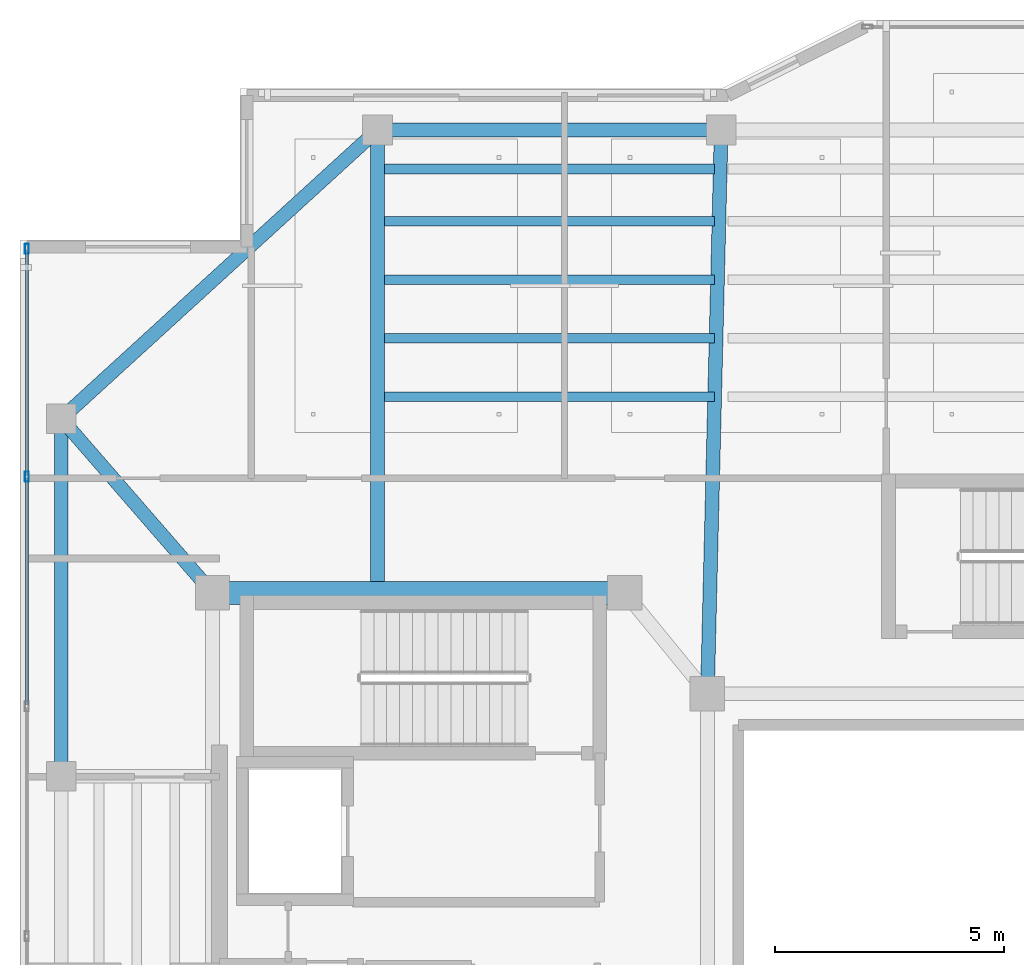
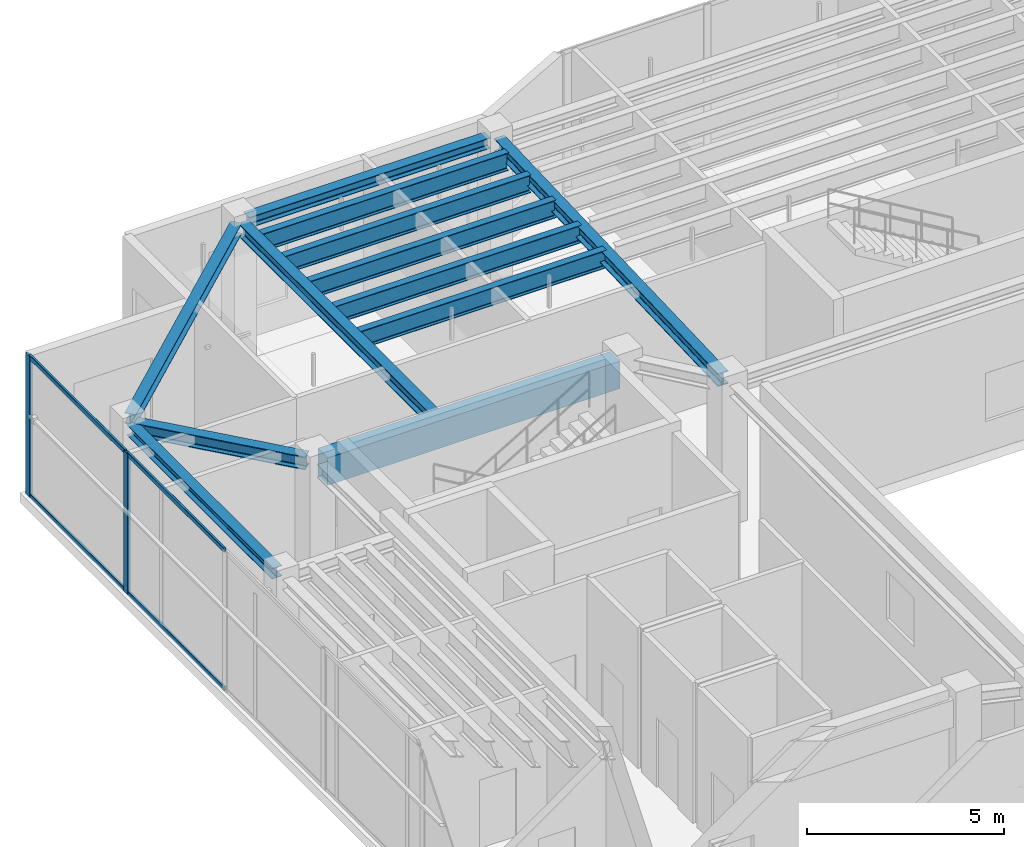
# One storey, part 10 of 25: 12 beams, 6 members, 1 element without a shape of its own.
"""IFC4 building model written with IfcOpenShell, lengths in metres."""

from ifc_helpers import new_model, si_unit, direction, frame, origin, origin_2d, place, context, subcontext, project, spatial, rectangle, hollow_rectangle, i_section, extrude, material, layer, layer_set, material_profile, profile_set, type_object, element, aggregate, save


model = new_model("IFC4")

# Units and contexts
model_context = context("Model", 3, precision=1e-05, world=origin(), true_north=direction((0.0, 1.0)))
body_context = subcontext(model_context, "Body", "Model", "MODEL_VIEW")
ifc_project = project(units=[si_unit("LENGTHUNIT", "METRE"), si_unit("AREAUNIT", "SQUARE_METRE"), si_unit("VOLUMEUNIT", "CUBIC_METRE"), si_unit("PLANEANGLEUNIT", "RADIAN"), si_unit("MASSUNIT", "GRAM", prefix="KILO")], contexts=[model_context])

# Site, building, storey
site_placement = place(None, origin())
site = spatial("IfcSite", under=ifc_project, at=site_placement, CompositionType="ELEMENT")
building_placement = place(site_placement, origin())
building = spatial("IfcBuilding", under=site, at=building_placement, Name="Tarnavaz Court Tower", CompositionType="ELEMENT")
storey_placement = place(building_placement, frame((0.0, 0.0, 271.64990234375)))
storey = spatial("IfcBuildingStorey", under=building, at=storey_placement, Name="L74", CompositionType="ELEMENT", Elevation=271.64990234375)

# Beams
ifc_material_1 = material(Name="Concrete C50/60", Category="concrete")
ifc_material_profile_1 = material_profile(ifc_material_1, rectangle(XDim=0.5, YDim=0.85009765625, at=origin_2d()), Name="RC 500X850")
ifc_profile_set_1 = profile_set([ifc_material_profile_1], Name="Concrete C50/60")
beam_type_1 = type_object("IfcBeamType", Name="BM-CB850", PredefinedType="LINTEL", material=ifc_profile_set_1)
beam_1_placement = place(storey_placement, frame((-18.3798828125, 10.0, 3.925048828125), z_axis=(1.0, 0.0, 0.0), x_axis=(0.0, 1.0, 0.0)))
element("IfcBeam", 1, at=beam_1_placement, inside=storey, type_object=beam_type_1, Name="L74 Beam IN-CW-NO-CW-NI", PredefinedType="LINTEL", context=body_context, shape_type="SweptSolid", body=[
    extrude(rectangle(XDim=0.5, YDim=0.85009765625, at=origin_2d()), origin(), (0.0, 0.0, 1.0), 8.559814453125),
])
ifc_material_2 = material(Name="Steel S355", Category="steel")
ifc_material_profile_2 = material_profile(ifc_material_2, i_section(OverallWidth=0.300048828125, OverallDepth=0.39990234375, WebThickness=0.013427734375, FlangeThickness=0.02392578125, FilletRadius=0.027099609375, at=origin_2d()), Name="HEB 400")
ifc_profile_set_2 = profile_set([ifc_material_profile_2], Name="Steel S355")
beam_type_2 = type_object("IfcBeamType", Name="BM-G-HEB400", PredefinedType="USERDEFINED", material=ifc_profile_set_2)
beam_2_placement = place(storey_placement, frame((-15.0, 10.0400390625, 4.150146484375), z_axis=(0.0, 1.0, 0.0), x_axis=(-1.0, 0.0, 0.0)))
element("IfcBeam", 2, at=beam_2_placement, inside=storey, type_object=beam_type_2, Name="L74 Beam RG-01", ObjectType="GIRDER", PredefinedType="USERDEFINED", context=body_context, shape_type="SweptSolid", body=[
    extrude(i_section(OverallWidth=0.300048828125, OverallDepth=0.39990234375, WebThickness=0.013427734375, FlangeThickness=0.02392578125, FilletRadius=0.027099609375, at=origin_2d()), origin(), (0.0, 0.0, 1.0), 9.83984375),
])
beam_3_placement = place(storey_placement, frame((-7.794677734375, 8.02001953125, 4.150146484375), z_axis=(0.024386002211, 0.99970261723, 0.0), x_axis=(-0.99970261723, 0.024386002211, 0.0)))
element("IfcBeam", 3, at=beam_3_placement, inside=storey, type_object=beam_type_2, Name="L74 Beam RG-02", ObjectType="GIRDER", PredefinedType="USERDEFINED", context=body_context, shape_type="SweptSolid", body=[
    extrude(i_section(OverallWidth=0.300048828125, OverallDepth=0.39990234375, WebThickness=0.013427734375, FlangeThickness=0.02392578125, FilletRadius=0.027099609375, at=origin_2d()), origin(), (0.0, 0.0, 1.0), 11.863525390625),
])
beam_4_placement = place(storey_placement, frame((-18.744384765625, 10.166015625, 4.150146484375), z_axis=(-0.65565475567, 0.755060819648, 0.0), x_axis=(-0.755060819648, -0.65565475567, 0.0)))
element("IfcBeam", 4, at=beam_4_placement, inside=storey, type_object=beam_type_2, Name="L74 Beam RG-16", ObjectType="GIRDER", PredefinedType="USERDEFINED", context=body_context, shape_type="SweptSolid", body=[
    extrude(i_section(OverallWidth=0.300048828125, OverallDepth=0.39990234375, WebThickness=0.013427734375, FlangeThickness=0.02392578125, FilletRadius=0.027099609375, at=origin_2d()), origin(), (0.0, 0.0, 1.0), 4.5927734375),
])
ifc_material_profile_3 = material_profile(ifc_material_2, i_section(OverallWidth=0.2099609375, OverallDepth=0.550048828125, WebThickness=0.010986328125, FlangeThickness=0.01708984375, FilletRadius=0.02392578125, at=origin_2d()), Name="IPE 550")
ifc_profile_set_3 = profile_set([ifc_material_profile_3], Name="Steel S355")
beam_type_3 = type_object("IfcBeamType", Name="BM-J-IPE550", PredefinedType="JOIST", material=ifc_profile_set_3)
for number, where, z_axis, x_axis, name in (
    (5, (-14.85009765625, 14.278076171875, 4.0751953125), (1.0, 0.0, 0.0), (0.0, 1.0, 0.0), "L74 Beam JN1-1"),
    (6, (-14.85009765625, 15.555908203125, 4.0751953125), (1.0, 0.0, 0.0), (0.0, 1.0, 0.0), "L74 Beam JN2-1"),
    (7, (-14.85009765625, 16.833984375, 4.0751953125), (1.0, 0.0, 0.0), (0.0, 1.0, 0.0), "L74 Beam JN3-1"),
    (8, (-14.85009765625, 18.112060546875, 4.0751953125), (1.0, 0.0, 0.0), (0.0, 1.0, 0.0), "L74 Beam JN4-1"),
    (9, (-14.85009765625, 19.248046875, 4.0751953125), (1.0, 0.0, 0.0), (0.0, 1.0, 0.0), "L74 Beam JN5-1"),
):
    element("IfcBeam", number, at=place(storey_placement, frame(where, z_axis=z_axis, x_axis=x_axis)), inside=storey, type_object=beam_type_3, Name=name, PredefinedType="JOIST", context=body_context, shape_type="SweptSolid", body=[
        extrude(i_section(OverallWidth=0.2099609375, OverallDepth=0.550048828125, WebThickness=0.010986328125, FlangeThickness=0.01708984375, FilletRadius=0.02392578125, at=origin_2d()), origin(), (0.0, 0.0, 1.0), 7.2001953125),
    ])
ifc_material_profile_4 = material_profile(ifc_material_2, i_section(OverallWidth=0.300048828125, OverallDepth=0.330078125, WebThickness=0.009521484375, FlangeThickness=0.0166015625, FilletRadius=0.027099609375, at=origin_2d()), Name="HEA 340")
ifc_profile_set_4 = profile_set([ifc_material_profile_4], Name="Steel S355")
beam_type_4 = type_object("IfcBeamType", Name="BM-SP-HEA340", PredefinedType="BEAM", material=ifc_profile_set_4)
beam_5_placement = place(storey_placement, frame((-14.780029296875, 20.10009765625, 4.18505859375), z_axis=(1.0, 0.0, 0.0), x_axis=(0.0, 1.0, 0.0)))
element("IfcBeam", 10, at=beam_5_placement, inside=storey, type_object=beam_type_4, Name="L74 Beam PR-PN-1-PN-2", PredefinedType="BEAM", context=body_context, shape_type="SweptSolid", body=[
    extrude(i_section(OverallWidth=0.300048828125, OverallDepth=0.330078125, WebThickness=0.009521484375, FlangeThickness=0.0166015625, FilletRadius=0.027099609375, at=origin_2d()), origin(), (0.0, 0.0, 1.0), 7.06005859375),
])
beam_6_placement = place(storey_placement, frame((-21.89990234375, 6.219970703125, 4.18505859375), z_axis=(0.0, 1.0, 0.0), x_axis=(-1.0, 0.0, 0.0)))
element("IfcBeam", 11, at=beam_6_placement, inside=storey, type_object=beam_type_4, Name="L74 Beam PR-PW-3-PW-4", PredefinedType="BEAM", context=body_context, shape_type="SweptSolid", body=[
    extrude(i_section(OverallWidth=0.300048828125, OverallDepth=0.330078125, WebThickness=0.009521484375, FlangeThickness=0.0166015625, FilletRadius=0.027099609375, at=origin_2d()), origin(), (0.0, 0.0, 1.0), 7.360107421875),
])
beam_7_placement = place(storey_placement, frame((-21.737548828125, 13.9482421875, 4.18505859375), z_axis=(0.738474214476, 0.674281717499, 0.0), x_axis=(-0.674281717499, 0.738474214476, 0.0)))
element("IfcBeam", 12, at=beam_7_placement, inside=storey, type_object=beam_type_4, Name="L74 Beam PR-PW-4-PN-1", PredefinedType="BEAM", context=body_context, shape_type="SweptSolid", body=[
    extrude(i_section(OverallWidth=0.300048828125, OverallDepth=0.330078125, WebThickness=0.009521484375, FlangeThickness=0.0166015625, FilletRadius=0.027099609375, at=origin_2d()), origin(), (0.0, 0.0, 1.0), 8.9033203125),
])

# Curtain wall, members
ifc_material_3 = material(Name="Anodised Aluminium 6063-T6 and Solar Low-E Glazing", Category="aluminium")
ifc_layer = layer(ifc_material_3, 0.2099609375)
ifc_layer_set = layer_set([ifc_layer], Name="Anodised Aluminium 6063-T6 and Solar Low-E Glazing")
curtain_wall_type = type_object("IfcCurtainWallType", Name="CW-SYS-06", PredefinedType="NOTDEFINED", material=ifc_layer_set)
curtain_wall_placement = place(storey_placement, origin())
curtain_wall = element("IfcCurtainWall", 13, at=curtain_wall_placement, inside=storey, type_object=curtain_wall_type, Name="L74 Observation Curtain Wall 2", PredefinedType="NOTDEFINED")
ifc_material_4 = material(Name="Anodised Aluminium 6063-T6", Category="aluminium")
ifc_material_profile_5 = material_profile(ifc_material_4, hollow_rectangle(XDim=0.0849609375, YDim=0.219970703125, WallThickness=0.006103515625, InnerFilletRadius=0.006103515625, OuterFilletRadius=0.011962890625, at=origin_2d()), Name="ALU RHS 220X85X6")
ifc_profile_set_5 = profile_set([ifc_material_profile_5], Name="Anodised Aluminium 6063-T6")
member_type_1 = type_object("IfcMemberType", Name="CW-MUL-220", PredefinedType="MULLION", material=ifc_profile_set_5)
member_1_placement = place(storey_placement, frame((-22.64990234375, 12.53564453125, 0.0), z_axis=(0.0, 0.0, 1.0), x_axis=(-1.0, 0.0, 0.0)))
member_1 = element("IfcMember", 14, at=member_1_placement, type_object=member_type_1, Name="CW mullion 7", PredefinedType="MULLION", context=body_context, shape_type="SweptSolid", body=[
    extrude(hollow_rectangle(XDim=0.0849609375, YDim=0.219970703125, WallThickness=0.006103515625, InnerFilletRadius=0.006103515625, OuterFilletRadius=0.011962890625, at=origin_2d()), origin(), (0.0, 0.0, 1.0), 4.35009765625),
])
member_2_placement = place(storey_placement, frame((-22.64990234375, 17.507568359375, 0.0), z_axis=(0.0, 0.0, 1.0), x_axis=(-1.0, 0.0, 0.0)))
member_2 = element("IfcMember", 15, at=member_2_placement, type_object=member_type_1, Name="CW mullion 8", PredefinedType="MULLION", context=body_context, shape_type="SweptSolid", body=[
    extrude(hollow_rectangle(XDim=0.0849609375, YDim=0.219970703125, WallThickness=0.006103515625, InnerFilletRadius=0.006103515625, OuterFilletRadius=0.011962890625, at=origin_2d()), origin(), (0.0, 0.0, 1.0), 4.35009765625),
])
ifc_material_profile_6 = material_profile(ifc_material_4, hollow_rectangle(XDim=0.06494140625, YDim=0.139892578125, WallThickness=0.00390625, InnerFilletRadius=0.00390625, OuterFilletRadius=0.008056640625, at=origin_2d()), Name="ALU RHS 140X65X4")
ifc_profile_set_6 = profile_set([ifc_material_profile_6], Name="Anodised Aluminium 6063-T6")
member_type_2 = type_object("IfcMemberType", Name="CW-TRN-140", PredefinedType="USERDEFINED", material=ifc_profile_set_6)
member_3_placement = place(storey_placement, frame((-22.64990234375, 7.56396484375, 0.03271484375), z_axis=(0.0, 1.0, 0.0), x_axis=(-1.0, 0.0, 0.0)))
member_3 = element("IfcMember", 16, at=member_3_placement, type_object=member_type_2, Name="CW transom 6.1", ObjectType="TRANSOM", PredefinedType="USERDEFINED", context=body_context, shape_type="SweptSolid", body=[
    extrude(hollow_rectangle(XDim=0.06494140625, YDim=0.139892578125, WallThickness=0.00390625, InnerFilletRadius=0.00390625, OuterFilletRadius=0.008056640625, at=origin_2d()), origin(), (0.0, 0.0, 1.0), 4.92919921875),
])
member_4_placement = place(storey_placement, frame((-22.64990234375, 7.56396484375, 4.317626953125), z_axis=(0.0, 1.0, 0.0), x_axis=(-1.0, 0.0, 0.0)))
member_4 = element("IfcMember", 17, at=member_4_placement, type_object=member_type_2, Name="CW transom 6.2", ObjectType="TRANSOM", PredefinedType="USERDEFINED", context=body_context, shape_type="SweptSolid", body=[
    extrude(hollow_rectangle(XDim=0.06494140625, YDim=0.139892578125, WallThickness=0.00390625, InnerFilletRadius=0.00390625, OuterFilletRadius=0.008056640625, at=origin_2d()), origin(), (0.0, 0.0, 1.0), 4.92919921875),
])
member_5_placement = place(storey_placement, frame((-22.64990234375, 12.578125, 0.03271484375), z_axis=(0.0, 1.0, 0.0), x_axis=(-1.0, 0.0, 0.0)))
member_5 = element("IfcMember", 18, at=member_5_placement, type_object=member_type_2, Name="CW transom 7.1", ObjectType="TRANSOM", PredefinedType="USERDEFINED", context=body_context, shape_type="SweptSolid", body=[
    extrude(hollow_rectangle(XDim=0.06494140625, YDim=0.139892578125, WallThickness=0.00390625, InnerFilletRadius=0.00390625, OuterFilletRadius=0.008056640625, at=origin_2d()), origin(), (0.0, 0.0, 1.0), 4.886962890625),
])
member_6_placement = place(storey_placement, frame((-22.64990234375, 12.578125, 4.317626953125), z_axis=(0.0, 1.0, 0.0), x_axis=(-1.0, 0.0, 0.0)))
member_6 = element("IfcMember", 19, at=member_6_placement, type_object=member_type_2, Name="CW transom 7.2", ObjectType="TRANSOM", PredefinedType="USERDEFINED", context=body_context, shape_type="SweptSolid", body=[
    extrude(hollow_rectangle(XDim=0.06494140625, YDim=0.139892578125, WallThickness=0.00390625, InnerFilletRadius=0.00390625, OuterFilletRadius=0.008056640625, at=origin_2d()), origin(), (0.0, 0.0, 1.0), 4.886962890625),
])
aggregate(curtain_wall, [member_1, member_2, member_3, member_4, member_5, member_6])

save(model, "model.ifc")
